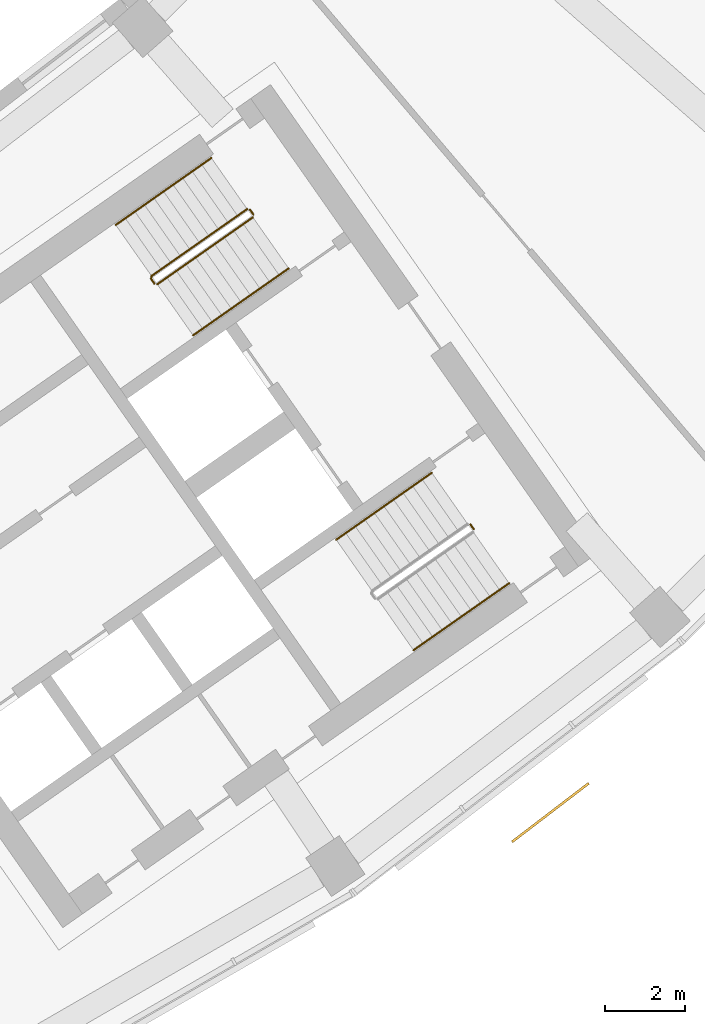
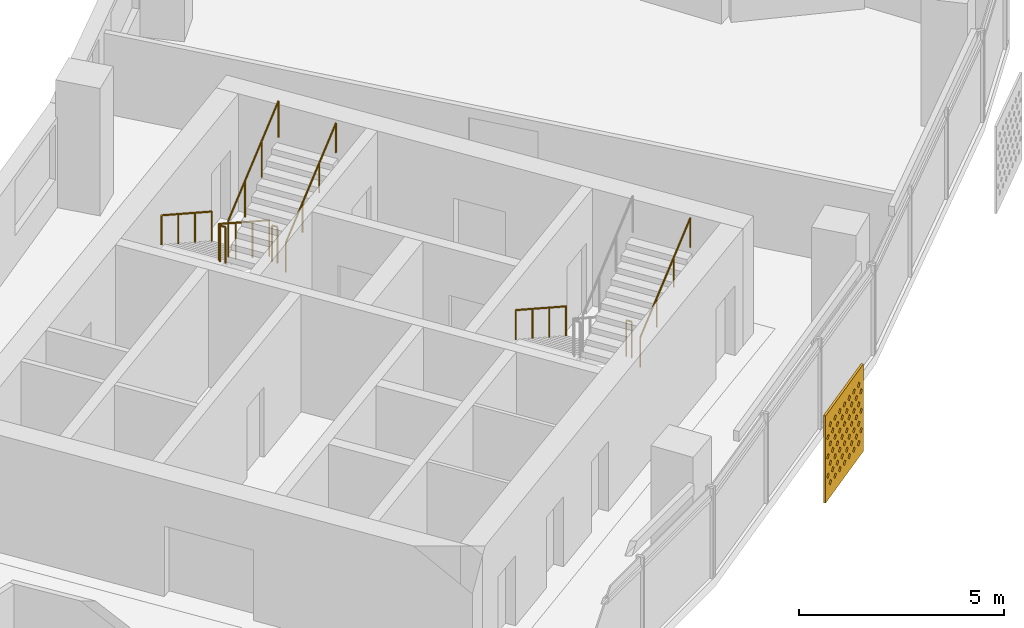
# One storey, part 27 of 28: 8 railings, 1 shading device.
"""IFC4 building model written with IfcOpenShell, lengths in metres."""

from ifc_helpers import new_model, si_unit, direction, frame, origin, origin_2d, place, context, subcontext, project, spatial, polyline, circle, outline, extrude, material, material_profile, profile_set, type_object, element, save


model = new_model("IFC4")

# Units and contexts
model_context = context("Model", 3, precision=1e-05, world=origin(), true_north=direction((0.0, 1.0)))
body_context = subcontext(model_context, "Body", "Model", "MODEL_VIEW")
ifc_project = project(units=[si_unit("LENGTHUNIT", "METRE"), si_unit("AREAUNIT", "SQUARE_METRE"), si_unit("VOLUMEUNIT", "CUBIC_METRE"), si_unit("PLANEANGLEUNIT", "RADIAN"), si_unit("MASSUNIT", "GRAM", prefix="KILO")], contexts=[model_context])

# Site, building, storey
site_placement = place(None, origin())
site = spatial("IfcSite", under=ifc_project, at=site_placement, CompositionType="ELEMENT")
building_placement = place(site_placement, origin())
building = spatial("IfcBuilding", under=site, at=building_placement, Name="Qamariyya Broadcast Tower", CompositionType="ELEMENT")
storey_placement = place(building_placement, frame((0.0, 0.0, 245.5)))
storey = spatial("IfcBuildingStorey", under=building, at=storey_placement, Name="L59", CompositionType="ELEMENT", Elevation=245.5)

# Shading device
ifc_material_1 = material(Name="Perforated glazed terracotta", Category="masonry")
ifc_material_profile = material_profile(ifc_material_1, outline(polyline([(-1.199951171875, -1.300048828125), (1.199951171875, -1.300048828125), (1.199951171875, 1.300048828125), (-1.199951171875, 1.300048828125), (-1.199951171875, -1.300048828125)]), holes=[polyline([(-0.81494140625, -0.86669921875), (-0.89990234375, -0.78173828125), (-0.985107421875, -0.86669921875), (-0.89990234375, -0.95166015625), (-0.81494140625, -0.86669921875)]), polyline([(-0.514892578125, -0.86669921875), (-0.60009765625, -0.78173828125), (-0.68505859375, -0.86669921875), (-0.60009765625, -0.95166015625), (-0.514892578125, -0.86669921875)]), polyline([(-0.215087890625, -0.86669921875), (-0.300048828125, -0.78173828125), (-0.385009765625, -0.86669921875), (-0.300048828125, -0.95166015625), (-0.215087890625, -0.86669921875)]), polyline([(0.0849609375, -0.86669921875), (0.0, -0.78173828125), (-0.0849609375, -0.86669921875), (0.0, -0.95166015625), (0.0849609375, -0.86669921875)]), polyline([(0.385009765625, -0.86669921875), (0.300048828125, -0.78173828125), (0.215087890625, -0.86669921875), (0.300048828125, -0.95166015625), (0.385009765625, -0.86669921875)]), polyline([(0.68505859375, -0.86669921875), (0.60009765625, -0.78173828125), (0.514892578125, -0.86669921875), (0.60009765625, -0.95166015625), (0.68505859375, -0.86669921875)]), polyline([(0.985107421875, -0.86669921875), (0.89990234375, -0.78173828125), (0.81494140625, -0.86669921875), (0.89990234375, -0.95166015625), (0.985107421875, -0.86669921875)]), polyline([(-0.965087890625, -0.577880859375), (-1.050048828125, -0.49267578125), (-1.135009765625, -0.577880859375), (-1.050048828125, -0.662841796875), (-0.965087890625, -0.577880859375)]), polyline([(-0.6650390625, -0.577880859375), (-0.75, -0.49267578125), (-0.8349609375, -0.577880859375), (-0.75, -0.662841796875), (-0.6650390625, -0.577880859375)]), polyline([(-0.364990234375, -0.577880859375), (-0.449951171875, -0.49267578125), (-0.534912109375, -0.577880859375), (-0.449951171875, -0.662841796875), (-0.364990234375, -0.577880859375)]), polyline([(-0.06494140625, -0.577880859375), (-0.14990234375, -0.49267578125), (-0.235107421875, -0.577880859375), (-0.14990234375, -0.662841796875), (-0.06494140625, -0.577880859375)]), polyline([(0.235107421875, -0.577880859375), (0.14990234375, -0.49267578125), (0.06494140625, -0.577880859375), (0.14990234375, -0.662841796875), (0.235107421875, -0.577880859375)]), polyline([(0.534912109375, -0.577880859375), (0.449951171875, -0.49267578125), (0.364990234375, -0.577880859375), (0.449951171875, -0.662841796875), (0.534912109375, -0.577880859375)]), polyline([(0.8349609375, -0.577880859375), (0.75, -0.49267578125), (0.6650390625, -0.577880859375), (0.75, -0.662841796875), (0.8349609375, -0.577880859375)]), polyline([(1.135009765625, -0.577880859375), (1.050048828125, -0.49267578125), (0.965087890625, -0.577880859375), (1.050048828125, -0.662841796875), (1.135009765625, -0.577880859375)]), polyline([(-0.81494140625, -0.288818359375), (-0.89990234375, -0.203857421875), (-0.985107421875, -0.288818359375), (-0.89990234375, -0.373779296875), (-0.81494140625, -0.288818359375)]), polyline([(-0.514892578125, -0.288818359375), (-0.60009765625, -0.203857421875), (-0.68505859375, -0.288818359375), (-0.60009765625, -0.373779296875), (-0.514892578125, -0.288818359375)]), polyline([(-0.215087890625, -0.288818359375), (-0.300048828125, -0.203857421875), (-0.385009765625, -0.288818359375), (-0.300048828125, -0.373779296875), (-0.215087890625, -0.288818359375)]), polyline([(0.0849609375, -0.288818359375), (0.0, -0.203857421875), (-0.0849609375, -0.288818359375), (0.0, -0.373779296875), (0.0849609375, -0.288818359375)]), polyline([(0.385009765625, -0.288818359375), (0.300048828125, -0.203857421875), (0.215087890625, -0.288818359375), (0.300048828125, -0.373779296875), (0.385009765625, -0.288818359375)]), polyline([(0.68505859375, -0.288818359375), (0.60009765625, -0.203857421875), (0.514892578125, -0.288818359375), (0.60009765625, -0.373779296875), (0.68505859375, -0.288818359375)]), polyline([(0.985107421875, -0.288818359375), (0.89990234375, -0.203857421875), (0.81494140625, -0.288818359375), (0.89990234375, -0.373779296875), (0.985107421875, -0.288818359375)]), polyline([(-0.965087890625, 0.0), (-1.050048828125, 0.0849609375), (-1.135009765625, 0.0), (-1.050048828125, -0.0849609375), (-0.965087890625, 0.0)]), polyline([(-0.6650390625, 0.0), (-0.75, 0.0849609375), (-0.8349609375, 0.0), (-0.75, -0.0849609375), (-0.6650390625, 0.0)]), polyline([(-0.364990234375, 0.0), (-0.449951171875, 0.0849609375), (-0.534912109375, 0.0), (-0.449951171875, -0.0849609375), (-0.364990234375, 0.0)]), polyline([(-0.06494140625, 0.0), (-0.14990234375, 0.0849609375), (-0.235107421875, 0.0), (-0.14990234375, -0.0849609375), (-0.06494140625, 0.0)]), polyline([(0.235107421875, 0.0), (0.14990234375, 0.0849609375), (0.06494140625, 0.0), (0.14990234375, -0.0849609375), (0.235107421875, 0.0)]), polyline([(0.534912109375, 0.0), (0.449951171875, 0.0849609375), (0.364990234375, 0.0), (0.449951171875, -0.0849609375), (0.534912109375, 0.0)]), polyline([(0.8349609375, 0.0), (0.75, 0.0849609375), (0.6650390625, 0.0), (0.75, -0.0849609375), (0.8349609375, 0.0)]), polyline([(1.135009765625, 0.0), (1.050048828125, 0.0849609375), (0.965087890625, 0.0), (1.050048828125, -0.0849609375), (1.135009765625, 0.0)]), polyline([(-0.81494140625, 0.288818359375), (-0.89990234375, 0.373779296875), (-0.985107421875, 0.288818359375), (-0.89990234375, 0.203857421875), (-0.81494140625, 0.288818359375)]), polyline([(-0.514892578125, 0.288818359375), (-0.60009765625, 0.373779296875), (-0.68505859375, 0.288818359375), (-0.60009765625, 0.203857421875), (-0.514892578125, 0.288818359375)]), polyline([(-0.215087890625, 0.288818359375), (-0.300048828125, 0.373779296875), (-0.385009765625, 0.288818359375), (-0.300048828125, 0.203857421875), (-0.215087890625, 0.288818359375)]), polyline([(0.0849609375, 0.288818359375), (0.0, 0.373779296875), (-0.0849609375, 0.288818359375), (0.0, 0.203857421875), (0.0849609375, 0.288818359375)]), polyline([(0.385009765625, 0.288818359375), (0.300048828125, 0.373779296875), (0.215087890625, 0.288818359375), (0.300048828125, 0.203857421875), (0.385009765625, 0.288818359375)]), polyline([(0.68505859375, 0.288818359375), (0.60009765625, 0.373779296875), (0.514892578125, 0.288818359375), (0.60009765625, 0.203857421875), (0.68505859375, 0.288818359375)]), polyline([(0.985107421875, 0.288818359375), (0.89990234375, 0.373779296875), (0.81494140625, 0.288818359375), (0.89990234375, 0.203857421875), (0.985107421875, 0.288818359375)]), polyline([(-0.965087890625, 0.577880859375), (-1.050048828125, 0.662841796875), (-1.135009765625, 0.577880859375), (-1.050048828125, 0.49267578125), (-0.965087890625, 0.577880859375)]), polyline([(-0.6650390625, 0.577880859375), (-0.75, 0.662841796875), (-0.8349609375, 0.577880859375), (-0.75, 0.49267578125), (-0.6650390625, 0.577880859375)]), polyline([(-0.364990234375, 0.577880859375), (-0.449951171875, 0.662841796875), (-0.534912109375, 0.577880859375), (-0.449951171875, 0.49267578125), (-0.364990234375, 0.577880859375)]), polyline([(-0.06494140625, 0.577880859375), (-0.14990234375, 0.662841796875), (-0.235107421875, 0.577880859375), (-0.14990234375, 0.49267578125), (-0.06494140625, 0.577880859375)]), polyline([(0.235107421875, 0.577880859375), (0.14990234375, 0.662841796875), (0.06494140625, 0.577880859375), (0.14990234375, 0.49267578125), (0.235107421875, 0.577880859375)]), polyline([(0.534912109375, 0.577880859375), (0.449951171875, 0.662841796875), (0.364990234375, 0.577880859375), (0.449951171875, 0.49267578125), (0.534912109375, 0.577880859375)]), polyline([(0.8349609375, 0.577880859375), (0.75, 0.662841796875), (0.6650390625, 0.577880859375), (0.75, 0.49267578125), (0.8349609375, 0.577880859375)]), polyline([(1.135009765625, 0.577880859375), (1.050048828125, 0.662841796875), (0.965087890625, 0.577880859375), (1.050048828125, 0.49267578125), (1.135009765625, 0.577880859375)]), polyline([(-0.81494140625, 0.86669921875), (-0.89990234375, 0.95166015625), (-0.985107421875, 0.86669921875), (-0.89990234375, 0.78173828125), (-0.81494140625, 0.86669921875)]), polyline([(-0.514892578125, 0.86669921875), (-0.60009765625, 0.95166015625), (-0.68505859375, 0.86669921875), (-0.60009765625, 0.78173828125), (-0.514892578125, 0.86669921875)]), polyline([(-0.215087890625, 0.86669921875), (-0.300048828125, 0.95166015625), (-0.385009765625, 0.86669921875), (-0.300048828125, 0.78173828125), (-0.215087890625, 0.86669921875)]), polyline([(0.0849609375, 0.86669921875), (0.0, 0.95166015625), (-0.0849609375, 0.86669921875), (0.0, 0.78173828125), (0.0849609375, 0.86669921875)]), polyline([(0.385009765625, 0.86669921875), (0.300048828125, 0.95166015625), (0.215087890625, 0.86669921875), (0.300048828125, 0.78173828125), (0.385009765625, 0.86669921875)]), polyline([(0.68505859375, 0.86669921875), (0.60009765625, 0.95166015625), (0.514892578125, 0.86669921875), (0.60009765625, 0.78173828125), (0.68505859375, 0.86669921875)]), polyline([(0.985107421875, 0.86669921875), (0.89990234375, 0.95166015625), (0.81494140625, 0.86669921875), (0.89990234375, 0.78173828125), (0.985107421875, 0.86669921875)])]))
ifc_profile_set = profile_set([ifc_material_profile], Name="Perforated glazed terracotta")
shading_device_type = type_object("IfcShadingDeviceType", Name="Perforated terracotta screen 2400 x 2600", PredefinedType="USERDEFINED", material=ifc_profile_set)
shading_device_placement = place(storey_placement, frame((48.521240234375, -63.293212890625, 1.35009765625), z_axis=(0.607147566278, -0.794589096806, 0.0), x_axis=(0.794589096806, 0.607147566278, 0.0)))
element("IfcShadingDevice", 1, at=shading_device_placement, inside=storey, type_object=shading_device_type, Name="e-scr-L59-13-1", ObjectType="SCREEN", PredefinedType="USERDEFINED", context=body_context, shape_type="SweptSolid", body=[
    extrude(outline(polyline([(-1.199951171875, -1.300048828125), (1.199951171875, -1.300048828125), (1.199951171875, 1.300048828125), (-1.199951171875, 1.300048828125), (-1.199951171875, -1.300048828125)]), holes=[polyline([(-0.81494140625, -0.86669921875), (-0.89990234375, -0.78173828125), (-0.985107421875, -0.86669921875), (-0.89990234375, -0.95166015625), (-0.81494140625, -0.86669921875)]), polyline([(-0.514892578125, -0.86669921875), (-0.60009765625, -0.78173828125), (-0.68505859375, -0.86669921875), (-0.60009765625, -0.95166015625), (-0.514892578125, -0.86669921875)]), polyline([(-0.215087890625, -0.86669921875), (-0.300048828125, -0.78173828125), (-0.385009765625, -0.86669921875), (-0.300048828125, -0.95166015625), (-0.215087890625, -0.86669921875)]), polyline([(0.0849609375, -0.86669921875), (0.0, -0.78173828125), (-0.0849609375, -0.86669921875), (0.0, -0.95166015625), (0.0849609375, -0.86669921875)]), polyline([(0.385009765625, -0.86669921875), (0.300048828125, -0.78173828125), (0.215087890625, -0.86669921875), (0.300048828125, -0.95166015625), (0.385009765625, -0.86669921875)]), polyline([(0.68505859375, -0.86669921875), (0.60009765625, -0.78173828125), (0.514892578125, -0.86669921875), (0.60009765625, -0.95166015625), (0.68505859375, -0.86669921875)]), polyline([(0.985107421875, -0.86669921875), (0.89990234375, -0.78173828125), (0.81494140625, -0.86669921875), (0.89990234375, -0.95166015625), (0.985107421875, -0.86669921875)]), polyline([(-0.965087890625, -0.577880859375), (-1.050048828125, -0.49267578125), (-1.135009765625, -0.577880859375), (-1.050048828125, -0.662841796875), (-0.965087890625, -0.577880859375)]), polyline([(-0.6650390625, -0.577880859375), (-0.75, -0.49267578125), (-0.8349609375, -0.577880859375), (-0.75, -0.662841796875), (-0.6650390625, -0.577880859375)]), polyline([(-0.364990234375, -0.577880859375), (-0.449951171875, -0.49267578125), (-0.534912109375, -0.577880859375), (-0.449951171875, -0.662841796875), (-0.364990234375, -0.577880859375)]), polyline([(-0.06494140625, -0.577880859375), (-0.14990234375, -0.49267578125), (-0.235107421875, -0.577880859375), (-0.14990234375, -0.662841796875), (-0.06494140625, -0.577880859375)]), polyline([(0.235107421875, -0.577880859375), (0.14990234375, -0.49267578125), (0.06494140625, -0.577880859375), (0.14990234375, -0.662841796875), (0.235107421875, -0.577880859375)]), polyline([(0.534912109375, -0.577880859375), (0.449951171875, -0.49267578125), (0.364990234375, -0.577880859375), (0.449951171875, -0.662841796875), (0.534912109375, -0.577880859375)]), polyline([(0.8349609375, -0.577880859375), (0.75, -0.49267578125), (0.6650390625, -0.577880859375), (0.75, -0.662841796875), (0.8349609375, -0.577880859375)]), polyline([(1.135009765625, -0.577880859375), (1.050048828125, -0.49267578125), (0.965087890625, -0.577880859375), (1.050048828125, -0.662841796875), (1.135009765625, -0.577880859375)]), polyline([(-0.81494140625, -0.288818359375), (-0.89990234375, -0.203857421875), (-0.985107421875, -0.288818359375), (-0.89990234375, -0.373779296875), (-0.81494140625, -0.288818359375)]), polyline([(-0.514892578125, -0.288818359375), (-0.60009765625, -0.203857421875), (-0.68505859375, -0.288818359375), (-0.60009765625, -0.373779296875), (-0.514892578125, -0.288818359375)]), polyline([(-0.215087890625, -0.288818359375), (-0.300048828125, -0.203857421875), (-0.385009765625, -0.288818359375), (-0.300048828125, -0.373779296875), (-0.215087890625, -0.288818359375)]), polyline([(0.0849609375, -0.288818359375), (0.0, -0.203857421875), (-0.0849609375, -0.288818359375), (0.0, -0.373779296875), (0.0849609375, -0.288818359375)]), polyline([(0.385009765625, -0.288818359375), (0.300048828125, -0.203857421875), (0.215087890625, -0.288818359375), (0.300048828125, -0.373779296875), (0.385009765625, -0.288818359375)]), polyline([(0.68505859375, -0.288818359375), (0.60009765625, -0.203857421875), (0.514892578125, -0.288818359375), (0.60009765625, -0.373779296875), (0.68505859375, -0.288818359375)]), polyline([(0.985107421875, -0.288818359375), (0.89990234375, -0.203857421875), (0.81494140625, -0.288818359375), (0.89990234375, -0.373779296875), (0.985107421875, -0.288818359375)]), polyline([(-0.965087890625, 0.0), (-1.050048828125, 0.0849609375), (-1.135009765625, 0.0), (-1.050048828125, -0.0849609375), (-0.965087890625, 0.0)]), polyline([(-0.6650390625, 0.0), (-0.75, 0.0849609375), (-0.8349609375, 0.0), (-0.75, -0.0849609375), (-0.6650390625, 0.0)]), polyline([(-0.364990234375, 0.0), (-0.449951171875, 0.0849609375), (-0.534912109375, 0.0), (-0.449951171875, -0.0849609375), (-0.364990234375, 0.0)]), polyline([(-0.06494140625, 0.0), (-0.14990234375, 0.0849609375), (-0.235107421875, 0.0), (-0.14990234375, -0.0849609375), (-0.06494140625, 0.0)]), polyline([(0.235107421875, 0.0), (0.14990234375, 0.0849609375), (0.06494140625, 0.0), (0.14990234375, -0.0849609375), (0.235107421875, 0.0)]), polyline([(0.534912109375, 0.0), (0.449951171875, 0.0849609375), (0.364990234375, 0.0), (0.449951171875, -0.0849609375), (0.534912109375, 0.0)]), polyline([(0.8349609375, 0.0), (0.75, 0.0849609375), (0.6650390625, 0.0), (0.75, -0.0849609375), (0.8349609375, 0.0)]), polyline([(1.135009765625, 0.0), (1.050048828125, 0.0849609375), (0.965087890625, 0.0), (1.050048828125, -0.0849609375), (1.135009765625, 0.0)]), polyline([(-0.81494140625, 0.288818359375), (-0.89990234375, 0.373779296875), (-0.985107421875, 0.288818359375), (-0.89990234375, 0.203857421875), (-0.81494140625, 0.288818359375)]), polyline([(-0.514892578125, 0.288818359375), (-0.60009765625, 0.373779296875), (-0.68505859375, 0.288818359375), (-0.60009765625, 0.203857421875), (-0.514892578125, 0.288818359375)]), polyline([(-0.215087890625, 0.288818359375), (-0.300048828125, 0.373779296875), (-0.385009765625, 0.288818359375), (-0.300048828125, 0.203857421875), (-0.215087890625, 0.288818359375)]), polyline([(0.0849609375, 0.288818359375), (0.0, 0.373779296875), (-0.0849609375, 0.288818359375), (0.0, 0.203857421875), (0.0849609375, 0.288818359375)]), polyline([(0.385009765625, 0.288818359375), (0.300048828125, 0.373779296875), (0.215087890625, 0.288818359375), (0.300048828125, 0.203857421875), (0.385009765625, 0.288818359375)]), polyline([(0.68505859375, 0.288818359375), (0.60009765625, 0.373779296875), (0.514892578125, 0.288818359375), (0.60009765625, 0.203857421875), (0.68505859375, 0.288818359375)]), polyline([(0.985107421875, 0.288818359375), (0.89990234375, 0.373779296875), (0.81494140625, 0.288818359375), (0.89990234375, 0.203857421875), (0.985107421875, 0.288818359375)]), polyline([(-0.965087890625, 0.577880859375), (-1.050048828125, 0.662841796875), (-1.135009765625, 0.577880859375), (-1.050048828125, 0.49267578125), (-0.965087890625, 0.577880859375)]), polyline([(-0.6650390625, 0.577880859375), (-0.75, 0.662841796875), (-0.8349609375, 0.577880859375), (-0.75, 0.49267578125), (-0.6650390625, 0.577880859375)]), polyline([(-0.364990234375, 0.577880859375), (-0.449951171875, 0.662841796875), (-0.534912109375, 0.577880859375), (-0.449951171875, 0.49267578125), (-0.364990234375, 0.577880859375)]), polyline([(-0.06494140625, 0.577880859375), (-0.14990234375, 0.662841796875), (-0.235107421875, 0.577880859375), (-0.14990234375, 0.49267578125), (-0.06494140625, 0.577880859375)]), polyline([(0.235107421875, 0.577880859375), (0.14990234375, 0.662841796875), (0.06494140625, 0.577880859375), (0.14990234375, 0.49267578125), (0.235107421875, 0.577880859375)]), polyline([(0.534912109375, 0.577880859375), (0.449951171875, 0.662841796875), (0.364990234375, 0.577880859375), (0.449951171875, 0.49267578125), (0.534912109375, 0.577880859375)]), polyline([(0.8349609375, 0.577880859375), (0.75, 0.662841796875), (0.6650390625, 0.577880859375), (0.75, 0.49267578125), (0.8349609375, 0.577880859375)]), polyline([(1.135009765625, 0.577880859375), (1.050048828125, 0.662841796875), (0.965087890625, 0.577880859375), (1.050048828125, 0.49267578125), (1.135009765625, 0.577880859375)]), polyline([(-0.81494140625, 0.86669921875), (-0.89990234375, 0.95166015625), (-0.985107421875, 0.86669921875), (-0.89990234375, 0.78173828125), (-0.81494140625, 0.86669921875)]), polyline([(-0.514892578125, 0.86669921875), (-0.60009765625, 0.95166015625), (-0.68505859375, 0.86669921875), (-0.60009765625, 0.78173828125), (-0.514892578125, 0.86669921875)]), polyline([(-0.215087890625, 0.86669921875), (-0.300048828125, 0.95166015625), (-0.385009765625, 0.86669921875), (-0.300048828125, 0.78173828125), (-0.215087890625, 0.86669921875)]), polyline([(0.0849609375, 0.86669921875), (0.0, 0.95166015625), (-0.0849609375, 0.86669921875), (0.0, 0.78173828125), (0.0849609375, 0.86669921875)]), polyline([(0.385009765625, 0.86669921875), (0.300048828125, 0.95166015625), (0.215087890625, 0.86669921875), (0.300048828125, 0.78173828125), (0.385009765625, 0.86669921875)]), polyline([(0.68505859375, 0.86669921875), (0.60009765625, 0.95166015625), (0.514892578125, 0.86669921875), (0.60009765625, 0.78173828125), (0.68505859375, 0.86669921875)]), polyline([(0.985107421875, 0.86669921875), (0.89990234375, 0.95166015625), (0.81494140625, 0.86669921875), (0.89990234375, 0.78173828125), (0.985107421875, 0.86669921875)])]), origin(), (0.0, 0.0, 1.0), 0.059814453125),
])

# Railings
ifc_material_2 = material(Name="Painted steel", Category="steel")
railing_type_1 = type_object("IfcRailingType", Name="Stair guard", PredefinedType="GUARDRAIL", material=ifc_material_2)
railing_1_placement = place(storey_placement, frame((41.003173828125, -48.320068359375, 0.172607421875)))
element("IfcRailing", 2, at=railing_1_placement, inside=storey, type_object=railing_type_1, Name="L59 ST-E2 stair guard 1", PredefinedType="GUARDRAIL", context=body_context, shape_type="SweptSolid", body=[
    extrude(circle(Radius=0.02392578125, at=origin_2d()), frame((0.0, 0.0, 1.076171875), z_axis=(-0.703770094002, -0.492783725636, 0.511734163933), x_axis=(0.573575343427, -0.819152809562, 0.0)), (0.0, 0.0, 1.0), 3.37548828125),
    extrude(circle(Radius=0.02392578125, at=origin_2d()), frame((-2.37548828125, -1.663330078125, 2.80322265625), z_axis=(-0.172799478008, -0.984957024646, 0.0), x_axis=(0.984957024646, -0.172799478008, 0.0)), (0.0, 0.0, 1.0), 0.070556640625),
    extrude(circle(Radius=0.02392578125, at=origin_2d()), frame((-2.3876953125, -1.73291015625, 2.80322265625), z_axis=(0.572588637393, -0.819842821722, 0.0), x_axis=(0.819842821722, 0.572588637393, 0.0)), (0.0, 0.0, 1.0), 0.150146484375),
    extrude(circle(Radius=0.02099609375, at=origin_2d()), origin(), (0.0, 0.0, 1.0), 1.052001953125),
    extrude(circle(Radius=0.02099609375, at=origin_2d()), frame((-0.791748046875, -0.554443359375, 0.57568359375)), (0.0, 0.0, 1.0), 1.052001953125),
    extrude(circle(Radius=0.02099609375, at=origin_2d()), frame((-1.583740234375, -1.10888671875, 1.151611328125)), (0.0, 0.0, 1.0), 1.052001953125),
    extrude(circle(Radius=0.02099609375, at=origin_2d()), frame((-2.37548828125, -1.663330078125, 1.727294921875)), (0.0, 0.0, 1.0), 1.052001953125),
    extrude(circle(Radius=0.02099609375, at=origin_2d()), frame((-2.3876953125, -1.73291015625, 1.727294921875)), (0.0, 0.0, 1.0), 1.052001953125),
    extrude(circle(Radius=0.02099609375, at=origin_2d()), frame((-2.3017578125, -1.85595703125, 1.727294921875)), (0.0, 0.0, 1.0), 1.052001953125),
])
railing_2_placement = place(storey_placement, frame((38.771240234375, -50.188232421875, 2.07275390625)))
element("IfcRailing", 3, at=railing_2_placement, inside=storey, type_object=railing_type_1, Name="L59 ST-E2 stair guard 2", PredefinedType="GUARDRAIL", context=body_context, shape_type="SweptSolid", body=[
    extrude(circle(Radius=0.02392578125, at=origin_2d()), frame((0.0, 0.0, 1.076171875), z_axis=(0.703770094002, 0.492783725636, 0.511734163933), x_axis=(-0.573575343427, 0.819152809562, 0.0)), (0.0, 0.0, 1.0), 3.37548828125),
    extrude(circle(Radius=0.02099609375, at=origin_2d()), origin(), (0.0, 0.0, 1.0), 1.052001953125),
    extrude(circle(Radius=0.02099609375, at=origin_2d()), frame((0.791748046875, 0.554443359375, 0.57568359375)), (0.0, 0.0, 1.0), 1.052001953125),
    extrude(circle(Radius=0.02099609375, at=origin_2d()), frame((1.583740234375, 1.10888671875, 1.151611328125)), (0.0, 0.0, 1.0), 1.052001953125),
    extrude(circle(Radius=0.02099609375, at=origin_2d()), frame((2.37548828125, 1.663330078125, 1.727294921875)), (0.0, 0.0, 1.0), 1.052001953125),
])
railing_3_placement = place(storey_placement, frame((41.072998046875, -48.332275390625, 0.0)))
element("IfcRailing", 4, at=railing_3_placement, inside=storey, type_object=railing_type_1, Name="L59 ST-E2 stair guard 3", PredefinedType="GUARDRAIL", context=body_context, shape_type="SweptSolid", body=[
    extrude(circle(Radius=0.02392578125, at=origin_2d()), frame((0.0, 0.0, 1.076171875), z_axis=(0.572588637393, -0.819842821722, 0.0), x_axis=(0.819842821722, 0.572588637393, 0.0)), (0.0, 0.0, 1.0), 0.150146484375),
    extrude(circle(Radius=0.02099609375, at=origin_2d()), origin(), (0.0, 0.0, 1.0), 1.052001953125),
    extrude(circle(Radius=0.02099609375, at=origin_2d()), frame((0.0859375, -0.123046875, 0.0)), (0.0, 0.0, 1.0), 1.052001953125),
])
railing_4_placement = place(storey_placement, frame((46.550537109375, -56.1552734375, 0.0)))
element("IfcRailing", 5, at=railing_4_placement, inside=storey, type_object=railing_type_1, Name="L59 ST-E1 stair guard 3", PredefinedType="GUARDRAIL", context=body_context, shape_type="SweptSolid", body=[
    extrude(circle(Radius=0.02392578125, at=origin_2d()), frame((0.0, 0.0, 1.076171875), z_axis=(0.574444878118, -0.818543268254, 0.0), x_axis=(0.818543268254, 0.574444878118, 0.0)), (0.0, 0.0, 1.0), 0.150146484375),
    extrude(circle(Radius=0.02099609375, at=origin_2d()), origin(), (0.0, 0.0, 1.0), 1.052001953125),
    extrude(circle(Radius=0.02099609375, at=origin_2d()), frame((0.086181640625, -0.122802734375, 0.0)), (0.0, 0.0, 1.0), 1.052001953125),
])
ifc_material_3 = material(Name="Stainless steel", Category="steel")
railing_type_2 = type_object("IfcRailingType", Name="Stair handrail", PredefinedType="HANDRAIL", material=ifc_material_3)
railing_5_placement = place(storey_placement, frame((40.1142578125, -47.05029296875, 0.172607421875)))
element("IfcRailing", 6, at=railing_5_placement, inside=storey, type_object=railing_type_2, Name="L59 ST-E2 stair handrail 1", PredefinedType="HANDRAIL", context=body_context, shape_type="SweptSolid", body=[
    extrude(circle(Radius=0.02392578125, at=origin_2d()), frame((0.0, 0.0, 0.8759765625), z_axis=(-0.703745009021, -0.492838488332, 0.511715923826), x_axis=(0.573631830683, -0.819113253969, 0.0)), (0.0, 0.0, 1.0), 3.37548828125),
    extrude(circle(Radius=0.02099609375, at=origin_2d()), origin(), (0.0, 0.0, 1.0), 0.851806640625),
    extrude(circle(Radius=0.02099609375, at=origin_2d()), frame((-0.791748046875, -0.554443359375, 0.57568359375)), (0.0, 0.0, 1.0), 0.851806640625),
    extrude(circle(Radius=0.02099609375, at=origin_2d()), frame((-1.583740234375, -1.109130859375, 1.151611328125)), (0.0, 0.0, 1.0), 0.851806640625),
    extrude(circle(Radius=0.02099609375, at=origin_2d()), frame((-2.37548828125, -1.66357421875, 1.727294921875)), (0.0, 0.0, 1.0), 0.851806640625),
])
railing_6_placement = place(storey_placement, frame((39.66015625, -51.4580078125, 2.07275390625)))
element("IfcRailing", 7, at=railing_6_placement, inside=storey, type_object=railing_type_2, Name="L59 ST-E2 stair handrail 2", PredefinedType="HANDRAIL", context=body_context, shape_type="SweptSolid", body=[
    extrude(circle(Radius=0.02392578125, at=origin_2d()), frame((0.0, 0.0, 0.8759765625), z_axis=(0.703745009021, 0.492838488332, 0.511715923826), x_axis=(-0.573631830683, 0.819113253969, 0.0)), (0.0, 0.0, 1.0), 3.37548828125),
    extrude(circle(Radius=0.02099609375, at=origin_2d()), origin(), (0.0, 0.0, 1.0), 0.851806640625),
    extrude(circle(Radius=0.02099609375, at=origin_2d()), frame((0.791748046875, 0.554443359375, 0.57568359375)), (0.0, 0.0, 1.0), 0.851806640625),
    extrude(circle(Radius=0.02099609375, at=origin_2d()), frame((1.583740234375, 1.109130859375, 1.151611328125)), (0.0, 0.0, 1.0), 0.851806640625),
    extrude(circle(Radius=0.02099609375, at=origin_2d()), frame((2.37548828125, 1.66357421875, 1.727294921875)), (0.0, 0.0, 1.0), 0.851806640625),
])
railing_7_placement = place(storey_placement, frame((45.591796875, -54.873291015625, 0.172607421875)))
element("IfcRailing", 8, at=railing_7_placement, inside=storey, type_object=railing_type_2, Name="L59 ST-E1 stair handrail 1", PredefinedType="HANDRAIL", context=body_context, shape_type="SweptSolid", body=[
    extrude(circle(Radius=0.02392578125, at=origin_2d()), frame((0.0, 0.0, 0.8759765625), z_axis=(-0.703770094002, -0.492783725636, 0.511734163933), x_axis=(0.573575343427, -0.819152809562, 0.0)), (0.0, 0.0, 1.0), 3.37548828125),
    extrude(circle(Radius=0.02099609375, at=origin_2d()), origin(), (0.0, 0.0, 1.0), 0.851806640625),
    extrude(circle(Radius=0.02099609375, at=origin_2d()), frame((-0.791748046875, -0.554443359375, 0.57568359375)), (0.0, 0.0, 1.0), 0.851806640625),
    extrude(circle(Radius=0.02099609375, at=origin_2d()), frame((-1.583740234375, -1.10888671875, 1.151611328125)), (0.0, 0.0, 1.0), 0.851806640625),
    extrude(circle(Radius=0.02099609375, at=origin_2d()), frame((-2.37548828125, -1.663330078125, 1.727294921875)), (0.0, 0.0, 1.0), 0.851806640625),
])
railing_8_placement = place(storey_placement, frame((45.137939453125, -59.28076171875, 2.07275390625)))
element("IfcRailing", 9, at=railing_8_placement, inside=storey, type_object=railing_type_2, Name="L59 ST-E1 stair handrail 2", PredefinedType="HANDRAIL", context=body_context, shape_type="SweptSolid", body=[
    extrude(circle(Radius=0.02392578125, at=origin_2d()), frame((0.0, 0.0, 0.8759765625), z_axis=(0.703770094002, 0.492783725636, 0.511734163933), x_axis=(-0.573575343427, 0.819152809562, 0.0)), (0.0, 0.0, 1.0), 3.37548828125),
    extrude(circle(Radius=0.02099609375, at=origin_2d()), origin(), (0.0, 0.0, 1.0), 0.851806640625),
    extrude(circle(Radius=0.02099609375, at=origin_2d()), frame((0.791748046875, 0.554443359375, 0.57568359375)), (0.0, 0.0, 1.0), 0.851806640625),
    extrude(circle(Radius=0.02099609375, at=origin_2d()), frame((1.583740234375, 1.10888671875, 1.151611328125)), (0.0, 0.0, 1.0), 0.851806640625),
    extrude(circle(Radius=0.02099609375, at=origin_2d()), frame((2.37548828125, 1.663330078125, 1.727294921875)), (0.0, 0.0, 1.0), 0.851806640625),
])

save(model, "model.ifc")
